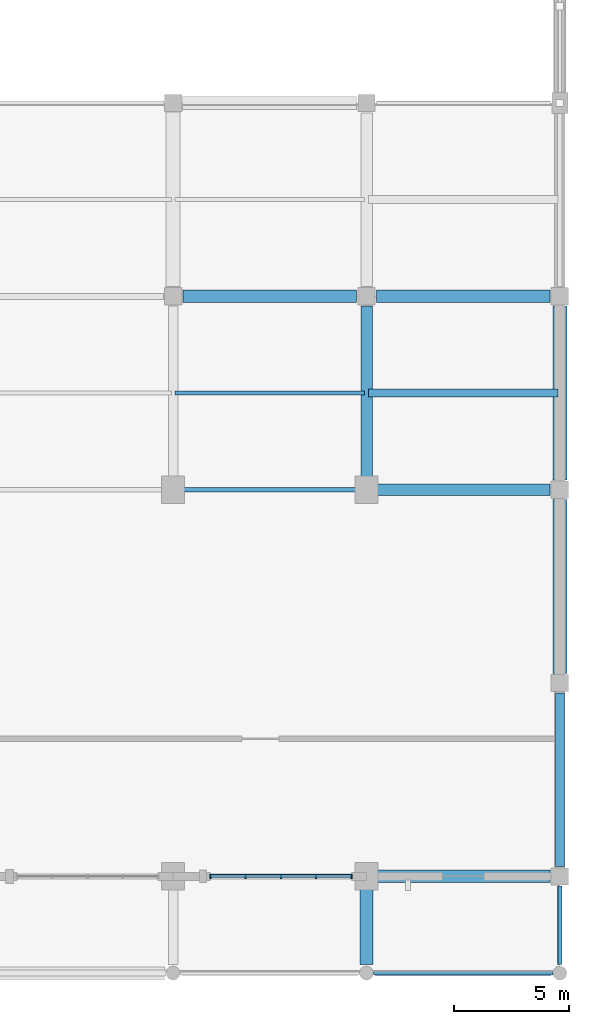
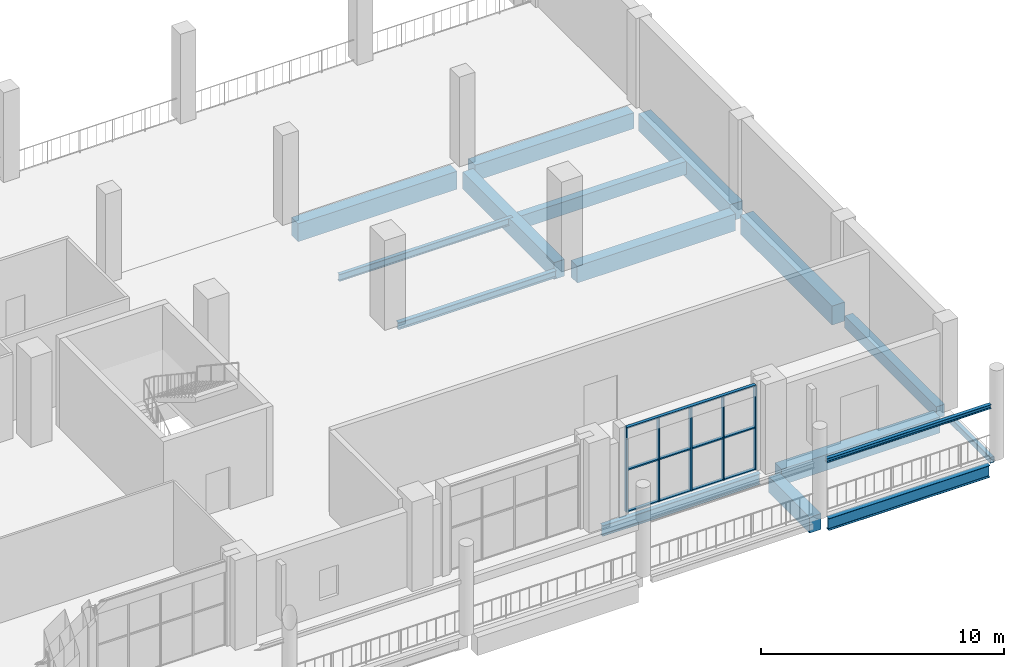
# One storey, part 43 of 75: 16 beams, 8 members, 1 element without a shape of its own.
"""IFC4 building model written with IfcOpenShell, lengths in metres."""

from ifc_helpers import new_model, si_unit, derived_unit, direction, frame, origin, origin_2d, place, context, subcontext, project, spatial, rectangle, hollow_rectangle, i_section, extrude, material, material_profile, profile_set, type_object, element, aggregate, save


model = new_model("IFC4")

# Units and contexts
model_context = context("Model", 3, precision=1e-05, world=origin(), true_north=direction((0.0, 1.0)))
body_context = subcontext(model_context, "Body", "Model", "MODEL_VIEW")
ifc_project = project(units=[si_unit("LENGTHUNIT", "METRE"), si_unit("AREAUNIT", "SQUARE_METRE"), si_unit("VOLUMEUNIT", "CUBIC_METRE"), si_unit("PLANEANGLEUNIT", "RADIAN"), si_unit("MASSUNIT", "GRAM", prefix="KILO"), derived_unit("THERMALTRANSMITTANCEUNIT", [(si_unit("POWERUNIT", "WATT"), 1), (si_unit("LENGTHUNIT", "METRE"), -2), (si_unit("THERMODYNAMICTEMPERATUREUNIT", "KELVIN"), -1)])], contexts=[model_context])

# Site, building, storey
site_placement = place(None, origin())
site = spatial("IfcSite", under=ifc_project, at=site_placement, CompositionType="ELEMENT")
building_placement = place(site_placement, origin())
building = spatial("IfcBuilding", under=site, at=building_placement, Name="Barrovel Congress Hotel", CompositionType="ELEMENT")
storey_placement = place(building_placement, frame((0.0, 0.0, 5.39990234375)))
storey = spatial("IfcBuildingStorey", under=building, at=storey_placement, Name="L01", CompositionType="ELEMENT", Elevation=5.39990234375)

# Beams
ifc_material_1 = material(Name="Concrete C40", Category="concrete")
ifc_material_profile_1 = material_profile(ifc_material_1, rectangle(XDim=0.35009765625, YDim=0.64990234375, at=origin_2d()), Name="RC350x650")
ifc_profile_set_1 = profile_set([ifc_material_profile_1], Name="Concrete C40")
beam_type_1 = type_object("IfcBeamType", Name="BM-RC350x650", PredefinedType="JOIST", material=ifc_profile_set_1)
beam_1_placement = place(storey_placement, frame((168.080078125, 25.199951171875, -0.5849609375), z_axis=(1.0, 0.0, 0.0), x_axis=(0.0, 1.0, 0.0)))
element("IfcBeam", 1, at=beam_1_placement, inside=storey, type_object=beam_type_1, Name="JST:L01:168.0:25.2", PredefinedType="JOIST", context=body_context, shape_type="SweptSolid", body=[
    extrude(rectangle(XDim=0.35009765625, YDim=0.64990234375, at=origin_2d()), origin(), (0.0, 0.0, 1.0), 8.239990234375),
])
ifc_material_profile_2 = material_profile(ifc_material_1, rectangle(XDim=0.39990234375, YDim=0.60009765625, at=origin_2d()), Name="RC400x600")
ifc_profile_set_2 = profile_set([ifc_material_profile_2], Name="Concrete C40")
beam_type_2 = type_object("IfcBeamType", Name="BM-RC400x600", PredefinedType="BEAM", material=ifc_profile_set_2)
beam_2_placement = place(storey_placement, frame((176.39990234375, 4.625, -0.559814453125), z_axis=(0.0, 1.0, 0.0), x_axis=(-1.0, 0.0, 0.0)))
element("IfcBeam", 2, at=beam_2_placement, inside=storey, type_object=beam_type_2, Name="BMY:L01:176.4:4.2-12.6", PredefinedType="BEAM", context=body_context, shape_type="SweptSolid", body=[
    extrude(rectangle(XDim=0.39990234375, YDim=0.60009765625, at=origin_2d()), origin(), (0.0, 0.0, 1.0), 7.550048828125),
])
ifc_material_profile_3 = material_profile(ifc_material_1, rectangle(XDim=0.5, YDim=0.85009765625, at=origin_2d()), Name="RC500x850")
ifc_profile_set_3 = profile_set([ifc_material_profile_3], Name="Concrete C40")
beam_type_3 = type_object("IfcBeamType", Name="BM-RC500x850", PredefinedType="BEAM", material=ifc_profile_set_3)
for number, where, z_axis, x_axis, name in (
    (3, (168.449951171875, 21.0, -0.684814453125), (1.0, 0.0, 0.0), (0.0, 1.0, 0.0), "BMX:L01:21.0:168.0-176.4"),
    (4, (168.0, 21.449951171875, -0.684814453125), (0.0, 1.0, 0.0), (-1.0, 0.0, 0.0), "BMY:L01:168.0:21.0-29.4"),
):
    element("IfcBeam", number, at=place(storey_placement, frame(where, z_axis=z_axis, x_axis=x_axis)), inside=storey, type_object=beam_type_3, Name=name, PredefinedType="BEAM", context=body_context, shape_type="SweptSolid", body=[
        extrude(rectangle(XDim=0.5, YDim=0.85009765625, at=origin_2d()), origin(), (0.0, 0.0, 1.0), 7.525146484375),
    ])
ifc_material_profile_4 = material_profile(ifc_material_1, rectangle(XDim=0.550048828125, YDim=0.800048828125, at=origin_2d()), Name="RC550x800")
ifc_profile_set_4 = profile_set([ifc_material_profile_4], Name="Concrete C40")
beam_type_4 = type_object("IfcBeamType", Name="BM-RC550x800", PredefinedType="BEAM", material=ifc_profile_set_4)
beam_3_placement = place(storey_placement, frame((168.449951171875, 4.199951171875, -0.659912109375), z_axis=(1.0, 0.0, 0.0), x_axis=(0.0, 1.0, 0.0)))
element("IfcBeam", 5, at=beam_3_placement, inside=storey, type_object=beam_type_4, Name="BMX:L01:4.2:168.0-176.4", PredefinedType="BEAM", context=body_context, shape_type="SweptSolid", body=[
    extrude(rectangle(XDim=0.550048828125, YDim=0.800048828125, at=origin_2d()), origin(), (0.0, 0.0, 1.0), 7.525146484375),
])
beam_4_placement = place(storey_placement, frame((168.425048828125, 29.39990234375, -0.659912109375), z_axis=(1.0, 0.0, 0.0), x_axis=(0.0, 1.0, 0.0)))
element("IfcBeam", 6, at=beam_4_placement, inside=storey, type_object=beam_type_4, Name="BMX:L01:29.4:168.0-176.4", PredefinedType="BEAM", context=body_context, shape_type="SweptSolid", body=[
    extrude(rectangle(XDim=0.550048828125, YDim=0.800048828125, at=origin_2d()), origin(), (0.0, 0.0, 1.0), 7.550048828125),
])
beam_5_placement = place(storey_placement, frame((168.0, 0.375, -0.659912109375), z_axis=(0.0, 1.0, 0.0), x_axis=(-1.0, 0.0, 0.0)))
element("IfcBeam", 7, at=beam_5_placement, inside=storey, type_object=beam_type_4, Name="BMY:L01:168.0:0.0-4.2", PredefinedType="BEAM", context=body_context, shape_type="SweptSolid", body=[
    extrude(rectangle(XDim=0.550048828125, YDim=0.800048828125, at=origin_2d()), origin(), (0.0, 0.0, 1.0), 3.375),
])
ifc_material_profile_5 = material_profile(ifc_material_1, rectangle(XDim=0.550048828125, YDim=0.89990234375, at=origin_2d()), Name="RC550x900")
ifc_profile_set_5 = profile_set([ifc_material_profile_5], Name="Concrete C40")
beam_type_5 = type_object("IfcBeamType", Name="BM-RC550x900", PredefinedType="BEAM", material=ifc_profile_set_5)
beam_6_placement = place(storey_placement, frame((160.02490234375, 29.39990234375, -0.7099609375), z_axis=(1.0, 0.0, 0.0), x_axis=(0.0, 1.0, 0.0)))
element("IfcBeam", 8, at=beam_6_placement, inside=storey, type_object=beam_type_5, Name="BMX:L01:29.4:159.6-168.0", PredefinedType="BEAM", context=body_context, shape_type="SweptSolid", body=[
    extrude(rectangle(XDim=0.550048828125, YDim=0.89990234375, at=origin_2d()), origin(), (0.0, 0.0, 1.0), 7.550048828125),
])
ifc_material_profile_6 = material_profile(ifc_material_1, rectangle(XDim=0.60009765625, YDim=0.85009765625, at=origin_2d()), Name="RC600x850")
ifc_profile_set_6 = profile_set([ifc_material_profile_6], Name="Concrete C40")
beam_type_6 = type_object("IfcBeamType", Name="BM-RC600x850", PredefinedType="BEAM", material=ifc_profile_set_6)
beam_7_placement = place(storey_placement, frame((176.39990234375, 21.425048828125, -0.684814453125), z_axis=(0.0, 1.0, 0.0), x_axis=(-1.0, 0.0, 0.0)))
element("IfcBeam", 9, at=beam_7_placement, inside=storey, type_object=beam_type_6, Name="BMY:L01:176.4:21.0-29.4", PredefinedType="BEAM", context=body_context, shape_type="SweptSolid", body=[
    extrude(rectangle(XDim=0.60009765625, YDim=0.85009765625, at=origin_2d()), origin(), (0.0, 0.0, 1.0), 7.550048828125),
])
ifc_material_profile_7 = material_profile(ifc_material_1, rectangle(XDim=0.60009765625, YDim=0.949951171875, at=origin_2d()), Name="RC600x950")
ifc_profile_set_7 = profile_set([ifc_material_profile_7], Name="Concrete C40")
beam_type_7 = type_object("IfcBeamType", Name="BM-RC600x950", PredefinedType="BEAM", material=ifc_profile_set_7)
beam_8_placement = place(storey_placement, frame((176.39990234375, 13.02490234375, -0.73486328125), z_axis=(0.0, 1.0, 0.0), x_axis=(-1.0, 0.0, 0.0)))
element("IfcBeam", 10, at=beam_8_placement, inside=storey, type_object=beam_type_7, Name="BMY:L01:176.4:12.6-21.0", PredefinedType="BEAM", context=body_context, shape_type="SweptSolid", body=[
    extrude(rectangle(XDim=0.60009765625, YDim=0.949951171875, at=origin_2d()), origin(), (0.0, 0.0, 1.0), 7.550048828125),
])

# Curtain wall, members
ifc_material_2 = material(Name="Anodised Aluminium Alloy 6063-T6", Category="aluminium")
curtain_wall_type = type_object("IfcCurtainWallType", Name="CW-ST-7200x3900", PredefinedType="USERDEFINED", material=ifc_material_2)
curtain_wall_placement = place(storey_placement, origin())
curtain_wall = element("IfcCurtainWall", 11, at=curtain_wall_placement, inside=storey, type_object=curtain_wall_type, Name="CW:L01:S:19", ObjectType="STICK CURTAIN WALL", PredefinedType="USERDEFINED")
ifc_material_profile_8 = material_profile(ifc_material_2, rectangle(XDim=0.06494140625, YDim=0.18994140625, at=origin_2d()), Name="AL-M65x190")
ifc_profile_set_8 = profile_set([ifc_material_profile_8], Name="Anodised Aluminium Alloy 6063-T6")
member_type_1 = type_object("IfcMemberType", Name="CWM-AL-M65x190", PredefinedType="MULLION", material=ifc_profile_set_8)
member_1_placement = place(storey_placement, frame((161.219970703125, 4.199951171875, 0.0), z_axis=(0.0, 0.0, 1.0), x_axis=(1.0, 0.0, 0.0)))
member_1 = element("IfcMember", 12, at=member_1_placement, type_object=member_type_1, Name="CW:L01:S:19:M0", PredefinedType="MULLION", context=body_context, shape_type="SweptSolid", body=[
    extrude(rectangle(XDim=0.06494140625, YDim=0.18994140625, at=origin_2d()), origin(), (0.0, 0.0, 1.0), 4.22021484375),
])
member_2_placement = place(storey_placement, frame((162.75, 4.199951171875, 0.0), z_axis=(0.0, 0.0, 1.0), x_axis=(1.0, 0.0, 0.0)))
member_2 = element("IfcMember", 13, at=member_2_placement, type_object=member_type_1, Name="CW:L01:S:19:M1", PredefinedType="MULLION", context=body_context, shape_type="SweptSolid", body=[
    extrude(rectangle(XDim=0.06494140625, YDim=0.18994140625, at=origin_2d()), origin(), (0.0, 0.0, 1.0), 4.22021484375),
])
member_3_placement = place(storey_placement, frame((164.280029296875, 4.199951171875, 0.0), z_axis=(0.0, 0.0, 1.0), x_axis=(1.0, 0.0, 0.0)))
member_3 = element("IfcMember", 14, at=member_3_placement, type_object=member_type_1, Name="CW:L01:S:19:M2", PredefinedType="MULLION", context=body_context, shape_type="SweptSolid", body=[
    extrude(rectangle(XDim=0.06494140625, YDim=0.18994140625, at=origin_2d()), origin(), (0.0, 0.0, 1.0), 4.22021484375),
])
member_4_placement = place(storey_placement, frame((165.81005859375, 4.199951171875, 0.0), z_axis=(0.0, 0.0, 1.0), x_axis=(1.0, 0.0, 0.0)))
member_4 = element("IfcMember", 15, at=member_4_placement, type_object=member_type_1, Name="CW:L01:S:19:M3", PredefinedType="MULLION", context=body_context, shape_type="SweptSolid", body=[
    extrude(rectangle(XDim=0.06494140625, YDim=0.18994140625, at=origin_2d()), origin(), (0.0, 0.0, 1.0), 4.22021484375),
])
member_5_placement = place(storey_placement, frame((167.340087890625, 4.199951171875, 0.0), z_axis=(0.0, 0.0, 1.0), x_axis=(1.0, 0.0, 0.0)))
member_5 = element("IfcMember", 16, at=member_5_placement, type_object=member_type_1, Name="CW:L01:S:19:M4", PredefinedType="MULLION", context=body_context, shape_type="SweptSolid", body=[
    extrude(rectangle(XDim=0.06494140625, YDim=0.18994140625, at=origin_2d()), origin(), (0.0, 0.0, 1.0), 4.22021484375),
])
ifc_material_profile_9 = material_profile(ifc_material_2, rectangle(XDim=0.14990234375, YDim=0.06494140625, at=origin_2d()), Name="AL-T65x150")
ifc_profile_set_9 = profile_set([ifc_material_profile_9], Name="Anodised Aluminium Alloy 6063-T6")
member_type_2 = type_object("IfcMemberType", Name="CWT-AL-T65x150", PredefinedType="USERDEFINED", material=ifc_profile_set_9)
member_6_placement = place(storey_placement, frame((161.219970703125, 4.199951171875, 0.0), z_axis=(1.0, 0.0, 0.0), x_axis=(0.0, 1.0, 0.0)))
member_6 = element("IfcMember", 17, at=member_6_placement, type_object=member_type_2, Name="CW:L01:S:19:T0", ObjectType="TRANSOM", PredefinedType="USERDEFINED", context=body_context, shape_type="SweptSolid", body=[
    extrude(rectangle(XDim=0.14990234375, YDim=0.06494140625, at=origin_2d()), origin(), (0.0, 0.0, 1.0), 6.1201171875),
])
member_7_placement = place(storey_placement, frame((161.219970703125, 4.199951171875, 2.110107421875), z_axis=(1.0, 0.0, 0.0), x_axis=(0.0, 1.0, 0.0)))
member_7 = element("IfcMember", 18, at=member_7_placement, type_object=member_type_2, Name="CW:L01:S:19:T1", ObjectType="TRANSOM", PredefinedType="USERDEFINED", context=body_context, shape_type="SweptSolid", body=[
    extrude(rectangle(XDim=0.14990234375, YDim=0.06494140625, at=origin_2d()), origin(), (0.0, 0.0, 1.0), 6.1201171875),
])
member_8_placement = place(storey_placement, frame((161.219970703125, 4.199951171875, 4.22021484375), z_axis=(1.0, 0.0, 0.0), x_axis=(0.0, 1.0, 0.0)))
member_8 = element("IfcMember", 19, at=member_8_placement, type_object=member_type_2, Name="CW:L01:S:19:T2", ObjectType="TRANSOM", PredefinedType="USERDEFINED", context=body_context, shape_type="SweptSolid", body=[
    extrude(rectangle(XDim=0.14990234375, YDim=0.06494140625, at=origin_2d()), origin(), (0.0, 0.0, 1.0), 6.1201171875),
])
aggregate(curtain_wall, [member_1, member_2, member_3, member_4, member_5, member_6, member_7, member_8])

# Beams
ifc_material_3 = material(Name="Steel ASTM A500 Grade C", Category="steel")
ifc_material_profile_10 = material_profile(ifc_material_3, hollow_rectangle(XDim=0.203125, YDim=0.3046875, WallThickness=0.01171875, InnerFilletRadius=0.01171875, OuterFilletRadius=0.023681640625, at=origin_2d()), Name="HSS305x203x12.7")
ifc_profile_set_10 = profile_set([ifc_material_profile_10], Name="Steel ASTM A500 Grade C")
beam_type_8 = type_object("IfcBeamType", Name="SBM-HSS305x203x12.7", PredefinedType="SPANDREL", material=ifc_profile_set_10)
beam_9_placement = place(storey_placement, frame((176.39990234375, 0.375, -0.412353515625), z_axis=(0.0, 1.0, 0.0), x_axis=(-1.0, 0.0, 0.0)))
element("IfcBeam", 20, at=beam_9_placement, inside=storey, type_object=beam_type_8, Name="BMY:L01:176.4:0.0-4.2", PredefinedType="SPANDREL", context=body_context, shape_type="SweptSolid", body=[
    extrude(hollow_rectangle(XDim=0.203125, YDim=0.3046875, WallThickness=0.01171875, InnerFilletRadius=0.01171875, OuterFilletRadius=0.023681640625, at=origin_2d()), origin(), (0.0, 0.0, 1.0), 3.39990234375),
])
ifc_material_4 = material(Name="Steel ASTM A992 Grade 50", Category="steel")
ifc_material_profile_11 = material_profile(ifc_material_4, i_section(OverallWidth=0.166015625, OverallDepth=0.205078125, WebThickness=0.007080078125, FlangeThickness=0.01171875, FilletRadius=0.010009765625, at=origin_2d()), Name="W200x42")
ifc_profile_set_11 = profile_set([ifc_material_profile_11], Name="Steel ASTM A992 Grade 50")
beam_type_9 = type_object("IfcBeamType", Name="SBM-W200x42", PredefinedType="LINTEL", material=ifc_profile_set_11)
beam_10_placement = place(storey_placement, frame((168.300048828125, 0.0, 2.647705078125), z_axis=(1.0, 0.0, 0.0), x_axis=(0.0, 1.0, 0.0)))
element("IfcBeam", 21, at=beam_10_placement, inside=storey, type_object=beam_type_9, Name="LIN:L01:168.0-176.4", PredefinedType="LINTEL", context=body_context, shape_type="SweptSolid", body=[
    extrude(i_section(OverallWidth=0.166015625, OverallDepth=0.205078125, WebThickness=0.007080078125, FlangeThickness=0.01171875, FilletRadius=0.010009765625, at=origin_2d()), origin(), (0.0, 0.0, 1.0), 7.800048828125),
])
ifc_material_profile_12 = material_profile(ifc_material_4, i_section(OverallWidth=0.1708984375, OverallDepth=0.35205078125, WebThickness=0.0068359375, FlangeThickness=0.009765625, FilletRadius=0.011962890625, at=origin_2d()), Name="W360x44")
ifc_profile_set_12 = profile_set([ifc_material_profile_12], Name="Steel ASTM A992 Grade 50")
beam_type_10 = type_object("IfcBeamType", Name="SBM-W360x44", PredefinedType="JOIST", material=ifc_profile_set_12)
beam_11_placement = place(storey_placement, frame((159.679931640625, 25.199951171875, -0.435791015625), z_axis=(1.0, 0.0, 0.0), x_axis=(0.0, 1.0, 0.0)))
element("IfcBeam", 22, at=beam_11_placement, inside=storey, type_object=beam_type_10, Name="JST:L01:159.6:25.2", PredefinedType="JOIST", context=body_context, shape_type="SweptSolid", body=[
    extrude(i_section(OverallWidth=0.1708984375, OverallDepth=0.35205078125, WebThickness=0.0068359375, FlangeThickness=0.009765625, FilletRadius=0.011962890625, at=origin_2d()), origin(), (0.0, 0.0, 1.0), 8.239990234375),
])
ifc_material_profile_13 = material_profile(ifc_material_4, i_section(OverallWidth=0.205078125, OverallDepth=0.35400390625, WebThickness=0.009521484375, FlangeThickness=0.016845703125, FilletRadius=0.012939453125, at=origin_2d()), Name="W360x79")
ifc_profile_set_13 = profile_set([ifc_material_profile_13], Name="Steel ASTM A992 Grade 50")
beam_type_11 = type_object("IfcBeamType", Name="SBM-W360x79", PredefinedType="BEAM", material=ifc_profile_set_13)
beam_12_placement = place(storey_placement, frame((160.050048828125, 21.0, -0.43701171875), z_axis=(1.0, 0.0, 0.0), x_axis=(0.0, 1.0, 0.0)))
element("IfcBeam", 23, at=beam_12_placement, inside=storey, type_object=beam_type_11, Name="BMX:L01:21.0:159.6-168.0", PredefinedType="BEAM", context=body_context, shape_type="SweptSolid", body=[
    extrude(i_section(OverallWidth=0.205078125, OverallDepth=0.35400390625, WebThickness=0.009521484375, FlangeThickness=0.016845703125, FilletRadius=0.012939453125, at=origin_2d()), origin(), (0.0, 0.0, 1.0), 7.5),
])
ifc_material_profile_14 = material_profile(ifc_material_4, i_section(OverallWidth=0.208984375, OverallDepth=0.532958984375, WebThickness=0.01025390625, FlangeThickness=0.015625, FilletRadius=0.013916015625, at=origin_2d()), Name="W530x92")
ifc_profile_set_14 = profile_set([ifc_material_profile_14], Name="Steel ASTM A992 Grade 50")
beam_type_12 = type_object("IfcBeamType", Name="SBM-W530x92", PredefinedType="BEAM", material=ifc_profile_set_14)
beam_13_placement = place(storey_placement, frame((160.050048828125, 4.199951171875, -0.5263671875), z_axis=(1.0, 0.0, 0.0), x_axis=(0.0, 1.0, 0.0)))
element("IfcBeam", 24, at=beam_13_placement, inside=storey, type_object=beam_type_12, Name="BMX:L01:4.2:159.6-168.0", PredefinedType="BEAM", context=body_context, shape_type="SweptSolid", body=[
    extrude(i_section(OverallWidth=0.208984375, OverallDepth=0.532958984375, WebThickness=0.01025390625, FlangeThickness=0.015625, FilletRadius=0.013916015625, at=origin_2d()), origin(), (0.0, 0.0, 1.0), 7.5),
])
ifc_material_profile_15 = material_profile(ifc_material_4, i_section(OverallWidth=0.22802734375, OverallDepth=0.60302734375, WebThickness=0.010498046875, FlangeThickness=0.014892578125, FilletRadius=0.014892578125, at=origin_2d()), Name="W610x101")
ifc_profile_set_15 = profile_set([ifc_material_profile_15], Name="Steel ASTM A992 Grade 50")
beam_type_13 = type_object("IfcBeamType", Name="SBM-W610x101", PredefinedType="BEAM", material=ifc_profile_set_15)
beam_14_placement = place(storey_placement, frame((168.375, 0.0, -0.5615234375), z_axis=(1.0, 0.0, 0.0), x_axis=(0.0, 1.0, 0.0)))
element("IfcBeam", 25, at=beam_14_placement, inside=storey, type_object=beam_type_13, Name="BMX:L01:0.0:168.0-176.4", PredefinedType="BEAM", context=body_context, shape_type="SweptSolid", body=[
    extrude(i_section(OverallWidth=0.22802734375, OverallDepth=0.60302734375, WebThickness=0.010498046875, FlangeThickness=0.014892578125, FilletRadius=0.014892578125, at=origin_2d()), origin(), (0.0, 0.0, 1.0), 7.64990234375),
])

save(model, "model.ifc")
